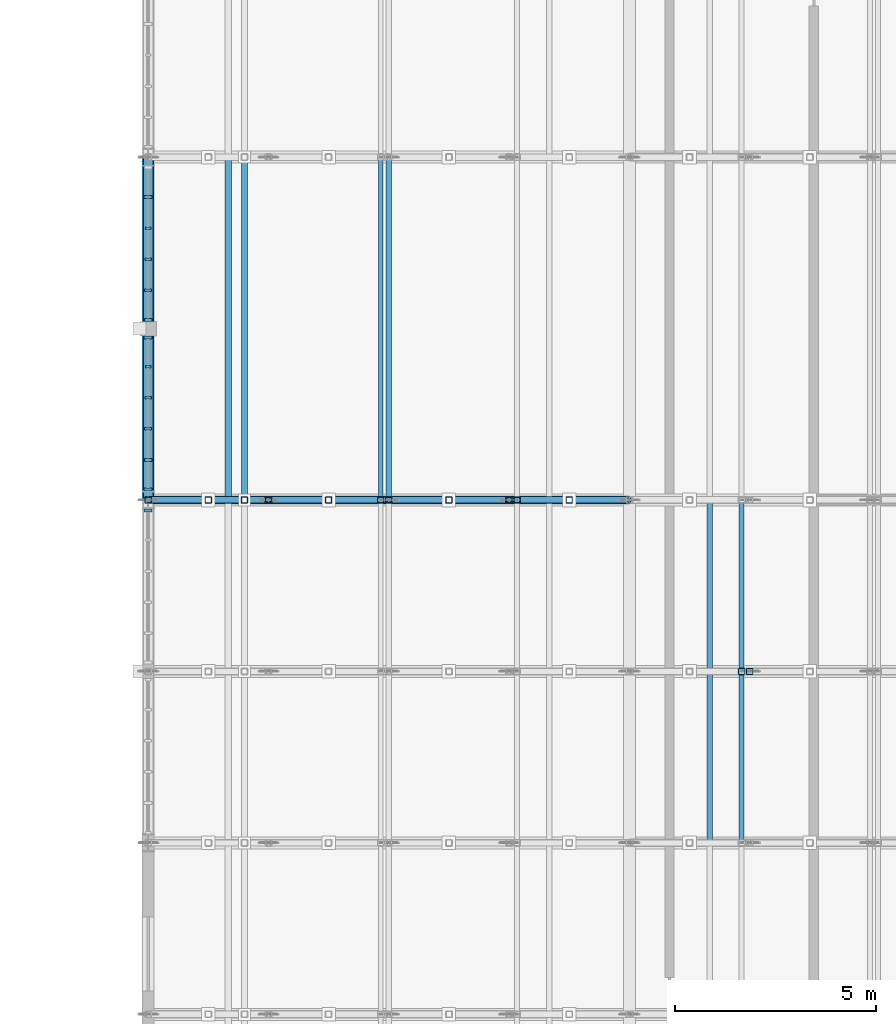
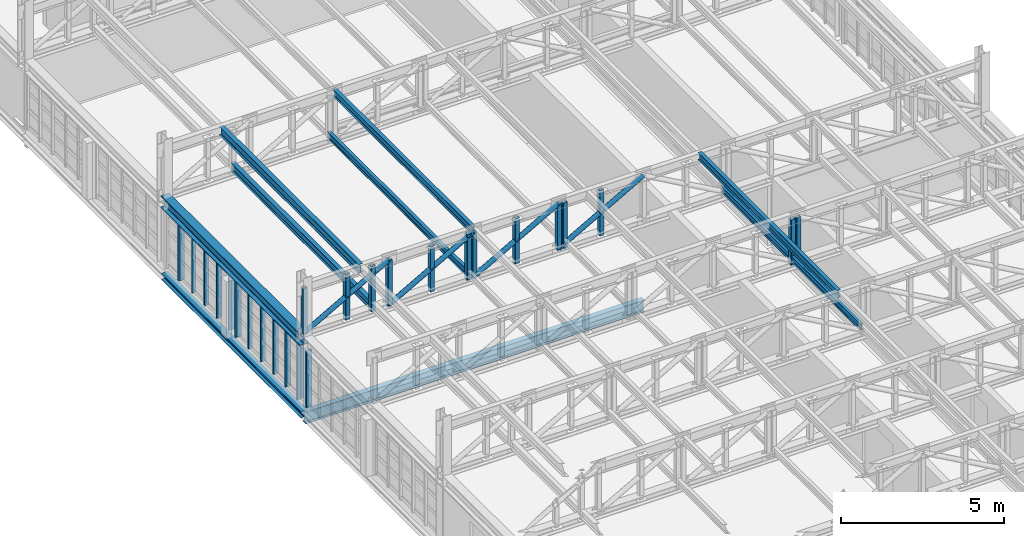
# One storey, part 47 of 128: 35 members, 3 beams, 3 elements without a shape of their own.
"""IFC4 building model written with IfcOpenShell, lengths in metres."""

from ifc_helpers import new_model, si_unit, direction, frame, origin, origin_2d, place, context, subcontext, project, spatial, rectangle, hollow_rectangle, hollow_circle, i_section, extrude, material, material_profile, profile_set, type_object, element, aggregate, save


model = new_model("IFC4")

# Units and contexts
model_context = context("Model", 3, precision=1e-05, world=origin(), true_north=direction((0.0, 1.0)))
body_context = subcontext(model_context, "Body", "Model", "MODEL_VIEW")
ifc_project = project(units=[si_unit("LENGTHUNIT", "METRE"), si_unit("AREAUNIT", "SQUARE_METRE"), si_unit("VOLUMEUNIT", "CUBIC_METRE"), si_unit("PLANEANGLEUNIT", "RADIAN"), si_unit("MASSUNIT", "GRAM", prefix="KILO")], contexts=[model_context])

# Site, building, storey
site_placement = place(None, origin())
site = spatial("IfcSite", under=ifc_project, at=site_placement, CompositionType="ELEMENT")
building_placement = place(site_placement, origin())
building = spatial("IfcBuilding", under=site, at=building_placement, Name="Serraforn Aerial Cableway Station", CompositionType="ELEMENT")
storey_placement = place(building_placement, frame((0.0, 0.0, 9.0)))
storey = spatial("IfcBuildingStorey", under=building, at=storey_placement, Name="L02", CompositionType="ELEMENT", Elevation=9.0)

# Beams
ifc_material_1 = material(Name="Steel S355JR", Category="steel")
ifc_material_profile_1 = material_profile(ifc_material_1, i_section(OverallWidth=0.239990234375, OverallDepth=0.239990234375, WebThickness=0.007568359375, FlangeThickness=0.011962890625, FilletRadius=0.02099609375, at=origin_2d()), Name="HEA 240")
ifc_profile_set_1 = profile_set([ifc_material_profile_1], Name="Steel S355JR")
beam_type_1 = type_object("IfcBeamType", Name="BM-ST-HEA240", PredefinedType="BEAM", material=ifc_profile_set_1)
beam_1_placement = place(storey_placement, frame((144.0, 88.35009765625, -0.43994140625), z_axis=(0.0, 1.0, 0.0), x_axis=(-1.0, 0.0, 0.0)))
element("IfcBeam", 1, at=beam_1_placement, inside=storey, type_object=beam_type_1, Name="Grid Girder Y EG L02 X1-6", PredefinedType="BEAM", context=body_context, shape_type="SweptSolid", body=[
    extrude(i_section(OverallWidth=0.239990234375, OverallDepth=0.239990234375, WebThickness=0.007568359375, FlangeThickness=0.011962890625, FilletRadius=0.02099609375, at=origin_2d()), origin(), (0.0, 0.0, 1.0), 8.5498046875),
])
ifc_material_2 = material(Name="Steel S355J2", Category="steel")
ifc_material_profile_2 = material_profile(ifc_material_2, i_section(OverallWidth=0.300048828125, OverallDepth=0.449951171875, WebThickness=0.013916015625, FlangeThickness=0.02587890625, FilletRadius=0.027099609375, at=origin_2d()), Name="HEB 450")
ifc_profile_set_2 = profile_set([ifc_material_profile_2], Name="Steel S355J2")
beam_type_2 = type_object("IfcBeamType", Name="BM-ST-HEB450", PredefinedType="USERDEFINED", material=ifc_profile_set_2)
beam_2_placement = place(storey_placement, frame((144.0, 88.35009765625, 2.375), z_axis=(0.0, 1.0, 0.0), x_axis=(-1.0, 0.0, 0.0)))
element("IfcBeam", 2, at=beam_2_placement, inside=storey, type_object=beam_type_2, Name="Garage Truss Support Girder W-6", ObjectType="GIRDER", PredefinedType="USERDEFINED", context=body_context, shape_type="SweptSolid", body=[
    extrude(i_section(OverallWidth=0.300048828125, OverallDepth=0.449951171875, WebThickness=0.013916015625, FlangeThickness=0.02587890625, FilletRadius=0.027099609375, at=origin_2d()), origin(), (0.0, 0.0, 1.0), 8.5498046875),
])
ifc_material_profile_3 = material_profile(ifc_material_1, i_section(OverallWidth=0.18994140625, OverallDepth=0.449951171875, WebThickness=0.009521484375, FlangeThickness=0.0146484375, FilletRadius=0.02099609375, at=origin_2d()), Name="IPE 450")
ifc_profile_set_3 = profile_set([ifc_material_profile_3], Name="Steel S355JR")
beam_type_3 = type_object("IfcBeamType", Name="BM-ST-IPE450", PredefinedType="BEAM", material=ifc_profile_set_3)
beam_3_placement = place(storey_placement, frame((144.0, 88.35009765625, -0.544921875), z_axis=(1.0, 0.0, 0.0), x_axis=(0.0, 1.0, 0.0)))
element("IfcBeam", 3, at=beam_3_placement, inside=storey, type_object=beam_type_3, Name="Grid Girder X EG L02 Y6-1", PredefinedType="BEAM", context=body_context, shape_type="SweptSolid", body=[
    extrude(i_section(OverallWidth=0.18994140625, OverallDepth=0.449951171875, WebThickness=0.009521484375, FlangeThickness=0.0146484375, FilletRadius=0.02099609375, at=origin_2d()), origin(), (0.0, 0.0, 1.0), 12.0),
])

# Curtain wall, member
ifc_material_3 = material(Name="Anodised bronze unitised curtain wall")
curtain_wall_type_1 = type_object("IfcCurtainWallType", Name="CW-SYS-7", PredefinedType="USERDEFINED", material=ifc_material_3)
curtain_wall_1_placement = place(storey_placement, origin())
curtain_wall_1 = element("IfcCurtainWall", 4, at=curtain_wall_1_placement, inside=storey, type_object=curtain_wall_type_1, Name="Unitised Curtain Wall CW-EG-L02-W6A", ObjectType="UNITISED CURTAIN WALL", PredefinedType="USERDEFINED")
ifc_material_4 = material(Name="Anodised bronze extruded aluminium", Category="aluminium")
ifc_material_profile_4 = material_profile(ifc_material_4, rectangle(XDim=0.054931640625, YDim=0.139892578125, at=origin_2d()), Name="CW MULLION 55x140")
ifc_profile_set_4 = profile_set([ifc_material_profile_4], Name="Anodised bronze extruded aluminium")
member_type_1 = type_object("IfcMemberType", Name="CW-MUL-1", PredefinedType="MULLION", material=ifc_profile_set_4)
member_1_placement = place(storey_placement, frame((144.0, 95.128173828125, 0.0), z_axis=(0.0, 0.0, 1.0), x_axis=(0.0, -1.0, 0.0)))
member_1 = element("IfcMember", 5, at=member_1_placement, type_object=member_type_1, Name="Curtain Wall Mullion CW-EG-L02-W6A-M3", PredefinedType="MULLION", context=body_context, shape_type="SweptSolid", body=[
    extrude(rectangle(XDim=0.054931640625, YDim=0.139892578125, at=origin_2d()), origin(), (0.0, 0.0, 1.0), 2.1201171875),
])

curtain_wall_type_2 = type_object("IfcCurtainWallType", Name="CW-SYS-8", PredefinedType="USERDEFINED", material=ifc_material_3)
curtain_wall_2_placement = place(storey_placement, origin())
curtain_wall_2 = element("IfcCurtainWall", 6, at=curtain_wall_2_placement, inside=storey, type_object=curtain_wall_type_2, Name="Unitised Curtain Wall CW-EG-L02-W6B", ObjectType="UNITISED CURTAIN WALL", PredefinedType="USERDEFINED")
member_2_placement = place(storey_placement, frame((144.0, 91.670654296875, 0.0), z_axis=(0.0, 0.0, 1.0), x_axis=(0.0, -1.0, 0.0)))
member_2 = element("IfcMember", 7, at=member_2_placement, type_object=member_type_1, Name="Curtain Wall Mullion CW-EG-L02-W6B-M2", PredefinedType="MULLION", context=body_context, shape_type="SweptSolid", body=[
    extrude(rectangle(XDim=0.054931640625, YDim=0.139892578125, at=origin_2d()), origin(), (0.0, 0.0, 1.0), 2.1201171875),
])

# Member
ifc_material_profile_5 = material_profile(ifc_material_4, rectangle(XDim=0.06005859375, YDim=0.159912109375, at=origin_2d()), Name="CW MULLION 60x160")
ifc_profile_set_5 = profile_set([ifc_material_profile_5], Name="Anodised bronze extruded aluminium")
member_type_2 = type_object("IfcMemberType", Name="CW-MUL-2", PredefinedType="MULLION", material=ifc_profile_set_5)
member_3_placement = place(storey_placement, frame((144.0, 94.353759765625, 0.0), z_axis=(0.0, 0.0, 1.0), x_axis=(0.0, -1.0, 0.0)))
member_3 = element("IfcMember", 8, at=member_3_placement, type_object=member_type_2, Name="Curtain Wall Mullion CW-EG-L02-W6A-M4", PredefinedType="MULLION", context=body_context, shape_type="SweptSolid", body=[
    extrude(rectangle(XDim=0.06005859375, YDim=0.159912109375, at=origin_2d()), origin(), (0.0, 0.0, 1.0), 2.1201171875),
])

member_4_placement = place(storey_placement, frame((144.0, 90.896240234375, 0.0), z_axis=(0.0, 0.0, 1.0), x_axis=(0.0, -1.0, 0.0)))
member_4 = element("IfcMember", 9, at=member_4_placement, type_object=member_type_2, Name="Curtain Wall Mullion CW-EG-L02-W6B-M3", PredefinedType="MULLION", context=body_context, shape_type="SweptSolid", body=[
    extrude(rectangle(XDim=0.06005859375, YDim=0.159912109375, at=origin_2d()), origin(), (0.0, 0.0, 1.0), 2.1201171875),
])

ifc_material_profile_6 = material_profile(ifc_material_4, rectangle(XDim=0.06494140625, YDim=0.175048828125, at=origin_2d()), Name="CW MULLION 65x175")
ifc_profile_set_6 = profile_set([ifc_material_profile_6], Name="Anodised bronze extruded aluminium")
member_type_3 = type_object("IfcMemberType", Name="CW-MUL-3", PredefinedType="MULLION", material=ifc_profile_set_6)
member_5_placement = place(storey_placement, frame((144.0, 93.579345703125, 0.0), z_axis=(0.0, 0.0, 1.0), x_axis=(0.0, -1.0, 0.0)))
member_5 = element("IfcMember", 10, at=member_5_placement, type_object=member_type_3, Name="Curtain Wall Mullion CW-EG-L02-W6A-M5", PredefinedType="MULLION", context=body_context, shape_type="SweptSolid", body=[
    extrude(rectangle(XDim=0.06494140625, YDim=0.175048828125, at=origin_2d()), origin(), (0.0, 0.0, 1.0), 2.1201171875),
])

member_6_placement = place(storey_placement, frame((144.0, 90.121826171875, 0.0), z_axis=(0.0, 0.0, 1.0), x_axis=(0.0, -1.0, 0.0)))
member_6 = element("IfcMember", 11, at=member_6_placement, type_object=member_type_3, Name="Curtain Wall Mullion CW-EG-L02-W6B-M4", PredefinedType="MULLION", context=body_context, shape_type="SweptSolid", body=[
    extrude(rectangle(XDim=0.06494140625, YDim=0.175048828125, at=origin_2d()), origin(), (0.0, 0.0, 1.0), 2.1201171875),
])

ifc_material_profile_7 = material_profile(ifc_material_4, rectangle(XDim=0.070068359375, YDim=0.18994140625, at=origin_2d()), Name="CW MULLION 70x190")
ifc_profile_set_7 = profile_set([ifc_material_profile_7], Name="Anodised bronze extruded aluminium")
member_type_4 = type_object("IfcMemberType", Name="CW-MUL-4", PredefinedType="MULLION", material=ifc_profile_set_7)
member_7_placement = place(storey_placement, frame((144.0, 92.840087890625, 0.0), z_axis=(0.0, 0.0, 1.0), x_axis=(0.0, -1.0, 0.0)))
member_7 = element("IfcMember", 12, at=member_7_placement, type_object=member_type_4, Name="Curtain Wall Mullion CW-EG-L02-W6A-M6", PredefinedType="MULLION", context=body_context, shape_type="SweptSolid", body=[
    extrude(rectangle(XDim=0.070068359375, YDim=0.18994140625, at=origin_2d()), origin(), (0.0, 0.0, 1.0), 2.1201171875),
])

member_8_placement = place(storey_placement, frame((144.0, 89.347412109375, 0.0), z_axis=(0.0, 0.0, 1.0), x_axis=(0.0, -1.0, 0.0)))
member_8 = element("IfcMember", 13, at=member_8_placement, type_object=member_type_4, Name="Curtain Wall Mullion CW-EG-L02-W6B-M5", PredefinedType="MULLION", context=body_context, shape_type="SweptSolid", body=[
    extrude(rectangle(XDim=0.070068359375, YDim=0.18994140625, at=origin_2d()), origin(), (0.0, 0.0, 1.0), 2.1201171875),
])

# Curtain wall, member
curtain_wall_type_3 = type_object("IfcCurtainWallType", Name="CW-SYS-3", PredefinedType="USERDEFINED", material=ifc_material_3)
curtain_wall_3_placement = place(storey_placement, origin())
curtain_wall_3 = element("IfcCurtainWall", 14, at=curtain_wall_3_placement, inside=storey, type_object=curtain_wall_type_3, Name="Unitised Curtain Wall CW-EG-L02-W5A", ObjectType="UNITISED CURTAIN WALL", PredefinedType="USERDEFINED")
ifc_material_profile_8 = material_profile(ifc_material_4, rectangle(XDim=0.074951171875, YDim=0.199951171875, at=origin_2d()), Name="CW MULLION 75x200")
ifc_profile_set_8 = profile_set([ifc_material_profile_8], Name="Anodised bronze extruded aluminium")
member_type_5 = type_object("IfcMemberType", Name="CW-MUL-5", PredefinedType="MULLION", material=ifc_profile_set_8)
member_9_placement = place(storey_placement, frame((144.0, 88.089599609375, 0.0), z_axis=(0.0, 0.0, 1.0), x_axis=(0.0, -1.0, 0.0)))
member_9 = element("IfcMember", 15, at=member_9_placement, type_object=member_type_5, Name="Curtain Wall Mullion CW-EG-L02-W5A-M1", PredefinedType="MULLION", context=body_context, shape_type="SweptSolid", body=[
    extrude(rectangle(XDim=0.074951171875, YDim=0.199951171875, at=origin_2d()), origin(), (0.0, 0.0, 1.0), 2.1201171875),
])
aggregate(curtain_wall_3, [member_9])

# Member
member_10_placement = place(storey_placement, frame((144.0, 95.902587890625, 0.0), z_axis=(0.0, 0.0, 1.0), x_axis=(0.0, -1.0, 0.0)))
member_10 = element("IfcMember", 16, at=member_10_placement, type_object=member_type_5, Name="Curtain Wall Mullion CW-EG-L02-W6A-M2", PredefinedType="MULLION", context=body_context, shape_type="SweptSolid", body=[
    extrude(rectangle(XDim=0.074951171875, YDim=0.199951171875, at=origin_2d()), origin(), (0.0, 0.0, 1.0), 2.1201171875),
])

aggregate(curtain_wall_1, [member_10, member_1, member_3, member_5, member_7])

member_11_placement = place(storey_placement, frame((144.0, 92.407470703125, 0.0), z_axis=(0.0, 0.0, 1.0), x_axis=(0.0, -1.0, 0.0)))
member_11 = element("IfcMember", 17, at=member_11_placement, type_object=member_type_5, Name="Curtain Wall Mullion CW-EG-L02-W6B-M1", PredefinedType="MULLION", context=body_context, shape_type="SweptSolid", body=[
    extrude(rectangle(XDim=0.074951171875, YDim=0.199951171875, at=origin_2d()), origin(), (0.0, 0.0, 1.0), 2.1201171875),
])

member_12_placement = place(storey_placement, frame((144.0, 88.610595703125, 0.0), z_axis=(0.0, 0.0, 1.0), x_axis=(0.0, -1.0, 0.0)))
member_12 = element("IfcMember", 18, at=member_12_placement, type_object=member_type_5, Name="Curtain Wall Mullion CW-EG-L02-W6B-M6", PredefinedType="MULLION", context=body_context, shape_type="SweptSolid", body=[
    extrude(rectangle(XDim=0.074951171875, YDim=0.199951171875, at=origin_2d()), origin(), (0.0, 0.0, 1.0), 2.1201171875),
])

aggregate(curtain_wall_2, [member_11, member_2, member_4, member_6, member_8, member_12])

# Members
ifc_material_profile_9 = material_profile(ifc_material_2, hollow_circle(Radius=0.084228515625, WallThickness=0.008056640625, at=origin_2d()), Name="CHS 168.3x8.0")
ifc_profile_set_9 = profile_set([ifc_material_profile_9], Name="Steel S355J2")
member_type_6 = type_object("IfcMemberType", Name="MEM-DG-CHS168", PredefinedType="BRACE", material=ifc_profile_set_9)
for number, where, z_axis, x_axis, name in (
    (19, (144.0, 88.35009765625, 2.60009765625), (0.871272396707, 0.0, 0.490799766439), (0.0, 1.0, 0.0), "Garage Truss GT-09 Diagonal 1"),
    (20, (147.0, 88.35009765625, 2.60009765625), (0.871272396707, 0.0, 0.490799766439), (0.0, 1.0, 0.0), "Garage Truss GT-09 Diagonal 2"),
    (21, (150.0, 88.35009765625, 2.60009765625), (0.871272396707, 0.0, 0.490799766439), (0.0, 1.0, 0.0), "Garage Truss GT-09 Diagonal 3"),
    (22, (153.0, 88.35009765625, 2.60009765625), (0.871272396707, 0.0, 0.490799766439), (0.0, 1.0, 0.0), "Garage Truss GT-09 Diagonal 4"),
):
    element("IfcMember", number, at=place(storey_placement, frame(where, z_axis=z_axis, x_axis=x_axis)), inside=storey, type_object=member_type_6, Name=name, PredefinedType="BRACE", context=body_context, shape_type="SweptSolid", body=[
        extrude(hollow_circle(Radius=0.084228515625, WallThickness=0.008056640625, at=origin_2d()), origin(), (0.0, 0.0, 1.0), 3.443359375),
    ])
ifc_material_profile_10 = material_profile(ifc_material_1, i_section(OverallWidth=0.135009765625, OverallDepth=0.27001953125, WebThickness=0.006591796875, FlangeThickness=0.01025390625, FilletRadius=0.014892578125, at=origin_2d()), Name="IPE 270")
ifc_profile_set_10 = profile_set([ifc_material_profile_10], Name="Steel S355JR")
member_type_7 = type_object("IfcMemberType", Name="MEM-PR-IPE270", PredefinedType="PURLIN", material=ifc_profile_set_10)
member_13_placement = place(storey_placement, frame((158.0, 79.800048828125, 4.3349609375), z_axis=(0.0, 1.0, 0.0), x_axis=(-1.0, 0.0, 0.0)))
element("IfcMember", 23, at=member_13_placement, inside=storey, type_object=member_type_7, Name="Fleet Garage Roof Purlin 5-4", PredefinedType="PURLIN", context=body_context, shape_type="SweptSolid", body=[
    extrude(i_section(OverallWidth=0.135009765625, OverallDepth=0.27001953125, WebThickness=0.006591796875, FlangeThickness=0.01025390625, FilletRadius=0.014892578125, at=origin_2d()), origin(), (0.0, 0.0, 1.0), 8.550048828125),
])
member_14_placement = place(storey_placement, frame((150.0, 88.35009765625, 4.3349609375), z_axis=(0.0, 1.0, 0.0), x_axis=(-1.0, 0.0, 0.0)))
element("IfcMember", 24, at=member_14_placement, inside=storey, type_object=member_type_7, Name="Fleet Garage Roof Purlin 6-2", PredefinedType="PURLIN", context=body_context, shape_type="SweptSolid", body=[
    extrude(i_section(OverallWidth=0.135009765625, OverallDepth=0.27001953125, WebThickness=0.006591796875, FlangeThickness=0.01025390625, FilletRadius=0.014892578125, at=origin_2d()), origin(), (0.0, 0.0, 1.0), 8.5498046875),
])
ifc_material_profile_11 = material_profile(ifc_material_1, i_section(OverallWidth=0.159912109375, OverallDepth=0.330078125, WebThickness=0.007568359375, FlangeThickness=0.011474609375, FilletRadius=0.01806640625, at=origin_2d()), Name="IPE 330")
ifc_profile_set_11 = profile_set([ifc_material_profile_11], Name="Steel S355JR")
member_type_8 = type_object("IfcMemberType", Name="MEM-PR-IPE330", PredefinedType="PURLIN", material=ifc_profile_set_11)
member_15_placement = place(storey_placement, frame((146.0, 88.35009765625, 4.304931640625), z_axis=(0.0, 1.0, 0.0), x_axis=(-1.0, 0.0, 0.0)))
element("IfcMember", 25, at=member_15_placement, inside=storey, type_object=member_type_8, Name="Fleet Garage Roof Purlin 6-1", PredefinedType="PURLIN", context=body_context, shape_type="SweptSolid", body=[
    extrude(i_section(OverallWidth=0.159912109375, OverallDepth=0.330078125, WebThickness=0.007568359375, FlangeThickness=0.011474609375, FilletRadius=0.01806640625, at=origin_2d()), origin(), (0.0, 0.0, 1.0), 8.5498046875),
])
ifc_material_profile_12 = material_profile(ifc_material_2, i_section(OverallWidth=0.1201171875, OverallDepth=0.239990234375, WebThickness=0.006103515625, FlangeThickness=0.009765625, FilletRadius=0.014892578125, at=origin_2d()), Name="IPE 240")
ifc_profile_set_12 = profile_set([ifc_material_profile_12], Name="Steel S355J2")
member_type_9 = type_object("IfcMemberType", Name="MEM-RL-IPE240", PredefinedType="USERDEFINED", material=ifc_profile_set_12)
member_16_placement = place(storey_placement, frame((149.800048828125, 88.35009765625, 2.820068359375), z_axis=(0.0, 1.0, 0.0), x_axis=(-1.0, 0.0, 0.0)))
element("IfcMember", 26, at=member_16_placement, inside=storey, type_object=member_type_9, Name="Overhead Cabin Storage Track Rail 2-5", ObjectType="OVERHEAD TRACK RAIL", PredefinedType="USERDEFINED", context=body_context, shape_type="SweptSolid", body=[
    extrude(i_section(OverallWidth=0.1201171875, OverallDepth=0.239990234375, WebThickness=0.006103515625, FlangeThickness=0.009765625, FilletRadius=0.014892578125, at=origin_2d()), origin(), (0.0, 0.0, 1.0), 8.5498046875),
])
member_17_placement = place(storey_placement, frame((158.800048828125, 79.800048828125, 2.820068359375), z_axis=(0.0, 1.0, 0.0), x_axis=(-1.0, 0.0, 0.0)))
element("IfcMember", 27, at=member_17_placement, inside=storey, type_object=member_type_9, Name="Overhead Cabin Storage Track Rail 4-4", ObjectType="OVERHEAD TRACK RAIL", PredefinedType="USERDEFINED", context=body_context, shape_type="SweptSolid", body=[
    extrude(i_section(OverallWidth=0.1201171875, OverallDepth=0.239990234375, WebThickness=0.006103515625, FlangeThickness=0.009765625, FilletRadius=0.014892578125, at=origin_2d()), origin(), (0.0, 0.0, 1.0), 8.550048828125),
])
ifc_material_profile_13 = material_profile(ifc_material_2, i_section(OverallWidth=0.14990234375, OverallDepth=0.300048828125, WebThickness=0.007080078125, FlangeThickness=0.0107421875, FilletRadius=0.014892578125, at=origin_2d()), Name="IPE 300")
ifc_profile_set_13 = profile_set([ifc_material_profile_13], Name="Steel S355J2")
member_type_10 = type_object("IfcMemberType", Name="MEM-RL-IPE300", PredefinedType="USERDEFINED", material=ifc_profile_set_13)
member_18_placement = place(storey_placement, frame((146.39990234375, 88.35009765625, 2.820068359375), z_axis=(0.0, 1.0, 0.0), x_axis=(-1.0, 0.0, 0.0)))
element("IfcMember", 28, at=member_18_placement, inside=storey, type_object=member_type_10, Name="Overhead Cabin Storage Track Rail 1-5", ObjectType="OVERHEAD TRACK RAIL", PredefinedType="USERDEFINED", context=body_context, shape_type="SweptSolid", body=[
    extrude(i_section(OverallWidth=0.14990234375, OverallDepth=0.300048828125, WebThickness=0.007080078125, FlangeThickness=0.0107421875, FilletRadius=0.014892578125, at=origin_2d()), origin(), (0.0, 0.0, 1.0), 8.5498046875),
])
ifc_material_profile_14 = material_profile(ifc_material_2, hollow_rectangle(XDim=0.159912109375, YDim=0.159912109375, WallThickness=0.008056640625, InnerFilletRadius=0.008056640625, OuterFilletRadius=0.01611328125, at=origin_2d()), Name="SHS 160x160x8.0")
ifc_profile_set_14 = profile_set([ifc_material_profile_14], Name="Steel S355J2")
member_type_11 = type_object("IfcMemberType", Name="MEM-VP-SHS160", PredefinedType="STRUT", material=ifc_profile_set_14)
for number, where, z_axis, x_axis, name in (
    (29, (159.0, 84.074951171875, 2.590087890625), (0.0, 0.0, 1.0), (1.0, 0.0, 0.0), "Garage Truss GT-08 Post 6"),
    (30, (144.0, 88.35009765625, 2.590087890625), (0.0, 0.0, 1.0), (1.0, 0.0, 0.0), "Garage Truss GT-09 Post 1"),
    (31, (147.0, 88.35009765625, 2.590087890625), (0.0, 0.0, 1.0), (1.0, 0.0, 0.0), "Garage Truss GT-09 Post 2"),
    (32, (150.0, 88.35009765625, 2.590087890625), (0.0, 0.0, 1.0), (1.0, 0.0, 0.0), "Garage Truss GT-09 Post 3"),
    (33, (153.0, 88.35009765625, 2.590087890625), (0.0, 0.0, 1.0), (1.0, 0.0, 0.0), "Garage Truss GT-09 Post 4"),
    (34, (158.800048828125, 84.074951171875, 2.590087890625), (0.0, 0.0, 1.0), (1.0, 0.0, 0.0), "Overhead Rail Suspension Post 040"),
    (35, (146.39990234375, 88.35009765625, 2.590087890625), (0.0, 0.0, 1.0), (1.0, 0.0, 0.0), "Overhead Rail Suspension Post 043"),
    (36, (149.800048828125, 88.35009765625, 2.590087890625), (0.0, 0.0, 1.0), (1.0, 0.0, 0.0), "Overhead Rail Suspension Post 044"),
    (37, (153.199951171875, 88.35009765625, 2.590087890625), (0.0, 0.0, 1.0), (1.0, 0.0, 0.0), "Overhead Rail Suspension Post 045"),
    (38, (145.5, 88.35009765625, 2.590087890625), (0.0, 0.0, 1.0), (1.0, 0.0, 0.0), "Garage Truss GT-09 Sub-Vertical 1"),
    (39, (148.5, 88.35009765625, 2.590087890625), (0.0, 0.0, 1.0), (1.0, 0.0, 0.0), "Garage Truss GT-09 Sub-Vertical 2"),
    (40, (151.5, 88.35009765625, 2.590087890625), (0.0, 0.0, 1.0), (1.0, 0.0, 0.0), "Garage Truss GT-09 Sub-Vertical 3"),
    (41, (154.5, 88.35009765625, 2.590087890625), (0.0, 0.0, 1.0), (1.0, 0.0, 0.0), "Garage Truss GT-09 Sub-Vertical 4"),
):
    element("IfcMember", number, at=place(storey_placement, frame(where, z_axis=z_axis, x_axis=x_axis)), inside=storey, type_object=member_type_11, Name=name, PredefinedType="STRUT", context=body_context, shape_type="SweptSolid", body=[
        extrude(hollow_rectangle(XDim=0.159912109375, YDim=0.159912109375, WallThickness=0.008056640625, InnerFilletRadius=0.008056640625, OuterFilletRadius=0.01611328125, at=origin_2d()), origin(), (0.0, 0.0, 1.0), 1.7099609375),
    ])

save(model, "model.ifc")
